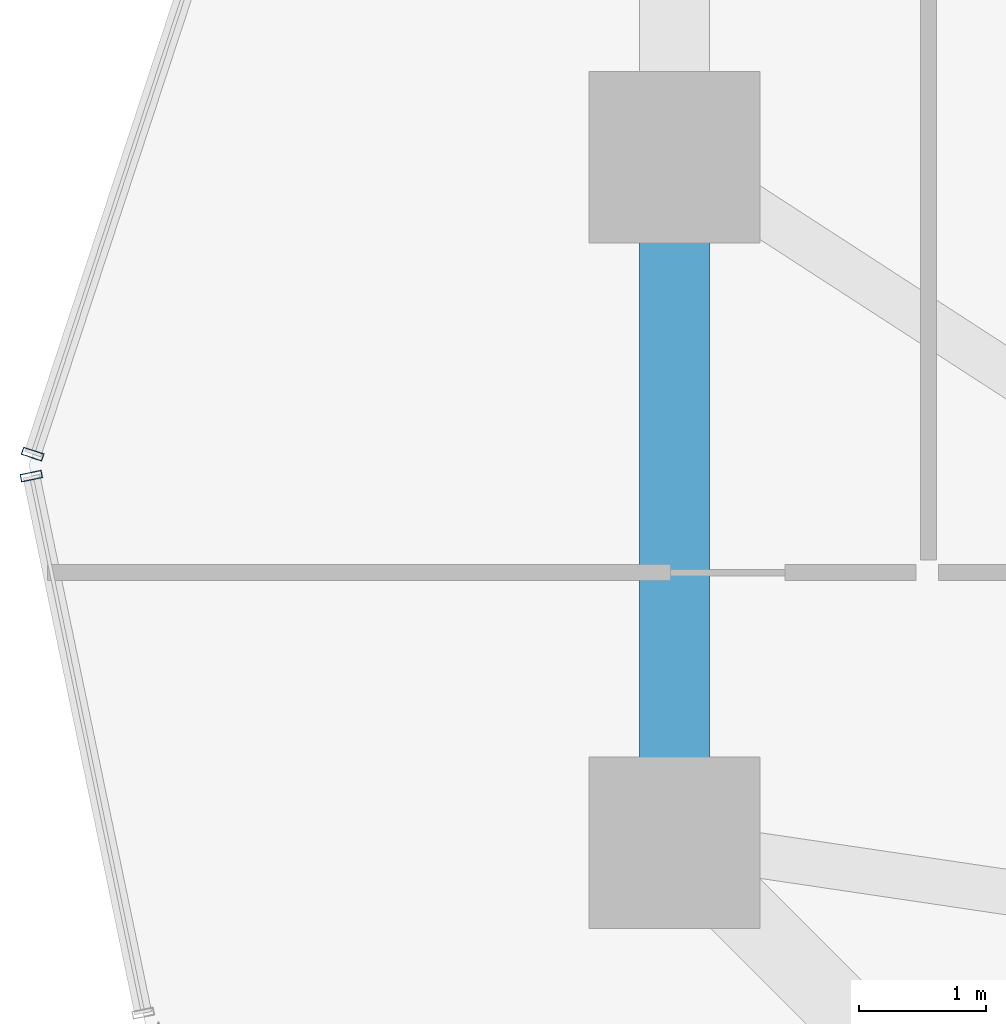
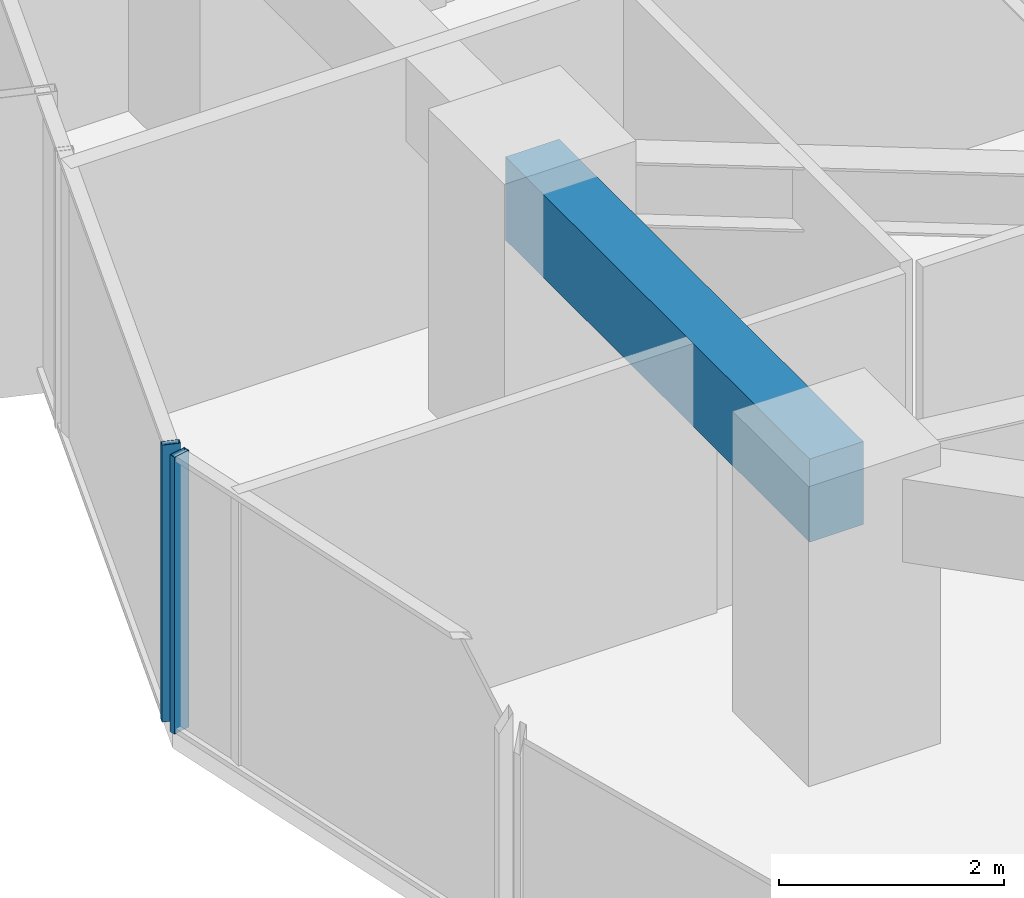
# One storey, part 10 of 38: 2 members, 1 beam, 2 elements without a shape of their own.
"""IFC4 building model written with IfcOpenShell, lengths in metres."""

import ifcopenshell
import ifcopenshell.guid

model = None  # the IFC model being written
_history = None  # IfcOwnerHistory: only IFC2X3 demands one
_inside = {}  # id of a spatial element -> (the spatial element, [elements in it])
_under = {}  # id of a project, library or spatial element -> (it, [spatial elements below it])
_declared = {}  # id of a project -> (the project, [libraries it declares])
_typed = {}  # id of a type object -> (the type object, [elements of that type])
_made_of = {}  # id of a material, layer set ... -> (it, [elements and type objects made of it])


def new_model(schema):
    """Start an empty IFC model of exactly this schema.

    Asked for "IFC4X3", IfcOpenShell would pick the latest addendum, in which some entities
    have other attributes; the version numbers below select the first issue.
    IFC2X3 requires an IfcOwnerHistory on every rooted entity: one is made here for all.
    """
    global model, _history
    if schema == "IFC4X3":
        model = ifcopenshell.file(schema_version=(4, 3, 0, 0))
    else:
        model = ifcopenshell.file(schema=schema)
    _inside.clear()
    _under.clear()
    _declared.clear()
    _typed.clear()
    _made_of.clear()
    _history = None
    if model.schema == "IFC2X3":
        org = make("IfcOrganization", Name="unknown")
        user = make(
            "IfcPersonAndOrganization",
            ThePerson=make("IfcPerson", FamilyName="unknown"),
            TheOrganization=org,
        )
        app = make(
            "IfcApplication",
            ApplicationDeveloper=org,
            Version="unknown",
            ApplicationFullName="unknown",
            ApplicationIdentifier="unknown",
        )
        _history = make(
            "IfcOwnerHistory",
            OwningUser=user,
            OwningApplication=app,
            ChangeAction="ADDED",
            CreationDate=0,
        )
    return model


def make(cls, **values):
    """One entity of the class cls with the attributes given. An attribute that is None is left unset."""
    return model.create_entity(
        cls, **{name: value for name, value in values.items() if value is not None}
    )


def rooted(cls, **values):
    """An entity with a GlobalId (a new one), such as an element, a storey or a relation."""
    return make(cls, GlobalId=ifcopenshell.guid.new(), OwnerHistory=_history, **values)


def si_unit(unit_type, name, prefix=None):
    """IfcSIUnit, for example si_unit("LENGTHUNIT", "METRE", prefix="MILLI")."""
    return make("IfcSIUnit", UnitType=unit_type, Prefix=prefix, Name=name)


def assignment(units):
    """IfcUnitAssignment: the units of a project."""
    return None if units is None else make("IfcUnitAssignment", Units=units)


def point(xyz):
    """IfcCartesianPoint."""
    return None if xyz is None else make("IfcCartesianPoint", Coordinates=xyz)


def direction(xyz):
    """IfcDirection."""
    return None if xyz is None else make("IfcDirection", DirectionRatios=xyz)


def frame(location, z_axis=None, x_axis=None):
    """IfcAxis2Placement3D, a coordinate frame: its origin and axes. An axis left out is left unset."""
    return make(
        "IfcAxis2Placement3D",
        Location=point(location),
        Axis=direction(z_axis),
        RefDirection=direction(x_axis),
    )


def frame_2d(location, x_axis=None):
    """IfcAxis2Placement2D, a coordinate frame in the plane: its origin and x axis."""
    return make(
        "IfcAxis2Placement2D", Location=point(location), RefDirection=direction(x_axis)
    )


def origin():
    """The frame at (0, 0, 0) with its axes left unset."""
    return frame((0.0, 0.0, 0.0))


def origin_2d():
    """The frame at (0, 0) in the plane with its x axis left unset."""
    return frame_2d((0.0, 0.0))


def place(relative_to, where):
    """IfcLocalPlacement: puts the frame where relative to a parent placement (None: the world)."""
    return make(
        "IfcLocalPlacement", PlacementRelTo=relative_to, RelativePlacement=where
    )


def context(
    kind, dimensions, precision=None, world=None, true_north=None, identifier=None
):
    """IfcGeometricRepresentationContext, for example the 3D "Model" context."""
    return make(
        "IfcGeometricRepresentationContext",
        ContextIdentifier=identifier,
        ContextType=kind,
        CoordinateSpaceDimension=dimensions,
        Precision=precision,
        WorldCoordinateSystem=world,
        TrueNorth=true_north,
    )


def subcontext(parent, identifier, kind, view, scale=None):
    """IfcGeometricRepresentationSubContext, for example "Body" below "Model"."""
    return make(
        "IfcGeometricRepresentationSubContext",
        ContextIdentifier=identifier,
        ContextType=kind,
        ParentContext=parent,
        TargetScale=scale,
        TargetView=view,
    )


def project(units=None, contexts=None):
    """IfcProject with its units and contexts."""
    return rooted(
        "IfcProject",
        Name="project",
        RepresentationContexts=contexts,
        UnitsInContext=assignment(units),
    )


def spatial(cls, under=None, at=None, **own):
    """A site, building, storey or space (cls), placed at a placement, below another one or the project."""
    s = rooted(cls, ObjectPlacement=at, **own)
    if under is not None:
        _under.setdefault(under.id(), (under, []))[1].append(s)
    return s


def profile(cls, at=None, kind="AREA", **sizes):
    """A parametric profile (cls). Its sizes go by their IFC names, for example OverallWidth=200.0."""
    return make(cls, ProfileType=kind, Position=at, **sizes)


def rectangle(**sizes):
    """IfcRectangleProfileDef."""
    return profile("IfcRectangleProfileDef", **sizes)


def hollow_rectangle(**sizes):
    """IfcRectangleHollowProfileDef."""
    return profile("IfcRectangleHollowProfileDef", **sizes)


def extrude(swept, where, along, depth):
    """IfcExtrudedAreaSolid: the profile swept, set in the frame where, extruded along a direction by depth."""
    return make(
        "IfcExtrudedAreaSolid",
        SweptArea=swept,
        Position=where,
        ExtrudedDirection=direction(along),
        Depth=depth,
    )


def shape(context_of_items, identifier, shape_type, items):
    """IfcShapeRepresentation: the items that make up one representation, for example the "Body"."""
    return make(
        "IfcShapeRepresentation",
        ContextOfItems=context_of_items,
        RepresentationIdentifier=identifier,
        RepresentationType=shape_type,
        Items=items,
    )


def source(mapping_origin, context_of_items, identifier, shape_type, items):
    """IfcRepresentationMap: a shape defined once, which mapped items show again and again."""
    return make(
        "IfcRepresentationMap",
        MappingOrigin=mapping_origin,
        MappedRepresentation=shape(context_of_items, identifier, shape_type, items),
    )


def transform(
    local_origin,
    x_axis=None,
    y_axis=None,
    z_axis=None,
    scale=None,
    scale2=None,
    scale3=None,
    uniform=True,
):
    """IfcCartesianTransformationOperator3D, or its non-uniform kind. x_axis, y_axis, z_axis: its Axis1, 2, 3."""
    if uniform:
        return make(
            "IfcCartesianTransformationOperator3D",
            Axis1=direction(x_axis),
            Axis2=direction(y_axis),
            LocalOrigin=point(local_origin),
            Scale=scale,
            Axis3=direction(z_axis),
        )
    return make(
        "IfcCartesianTransformationOperator3DnonUniform",
        Axis1=direction(x_axis),
        Axis2=direction(y_axis),
        LocalOrigin=point(local_origin),
        Scale=scale,
        Axis3=direction(z_axis),
        Scale2=scale2,
        Scale3=scale3,
    )


def mapped(mapping_source, mapping_target):
    """IfcMappedItem: shows the shape of a source again, moved by a transform."""
    return make(
        "IfcMappedItem", MappingSource=mapping_source, MappingTarget=mapping_target
    )


def material(Name=None, Category=None):
    """IfcMaterial."""
    return make("IfcMaterial", Name=Name, Category=Category)


def layer(
    of_material, thickness, ventilated=None, Name=None, Category=None, Priority=None
):
    """IfcMaterialLayer: one layer of a wall or slab, of a material (None: an air gap)."""
    return make(
        "IfcMaterialLayer",
        Material=of_material,
        LayerThickness=thickness,
        IsVentilated=ventilated,
        Name=Name,
        Category=Category,
        Priority=Priority,
    )


def layer_set(layers, Name=None):
    """IfcMaterialLayerSet."""
    return make("IfcMaterialLayerSet", MaterialLayers=layers, LayerSetName=Name)


def material_profile(
    of_material, cross_section, Name=None, Category=None, Priority=None
):
    """IfcMaterialProfile: a cross section and its material."""
    return make(
        "IfcMaterialProfile",
        Name=Name,
        Material=of_material,
        Profile=cross_section,
        Priority=Priority,
        Category=Category,
    )


def profile_set(profiles, Name=None, composite=None):
    """IfcMaterialProfileSet."""
    return make(
        "IfcMaterialProfileSet",
        Name=Name,
        MaterialProfiles=profiles,
        CompositeProfile=composite,
    )


def made_of(thing, what):
    """Note that an element or type object is made of a material, layer set ...; save() writes the relation."""
    if what is not None:
        _made_of.setdefault(what.id(), (what, []))[1].append(thing)
    return thing


def type_object(cls, material=None, **own):
    """A type object (cls), such as IfcWallType, which elements share."""
    return made_of(rooted(cls, **own), material)


def element(
    cls,
    number,
    at=None,
    inside=None,
    cuts=None,
    type_object=None,
    material=None,
    context=None,
    identifier="Body",
    shape_type=None,
    held_by="IfcProductDefinitionShape",
    body=None,
    shapes=None,
    **own,
):
    """One element of the class cls, such as IfcWall. Its Tag is "e" and its number.

    at: its placement. inside: the storey or other place that contains it. cuts: it is an
    opening in that element (IfcRelVoidsElement). A single representation is given by context,
    identifier, shape_type and body (its items); several are given by shapes. held_by: the class
    of the entity that holds the representations. save() writes the other relations.
    """
    e = rooted(cls, Tag="e%d" % number, ObjectPlacement=at, **own)
    if body is not None:
        shapes = [shape(context, identifier, shape_type, body)]
    if shapes is not None:
        e.Representation = make(held_by, Representations=shapes)
    if inside is not None:
        _inside.setdefault(inside.id(), (inside, []))[1].append(e)
    if cuts is not None:
        rooted(
            "IfcRelVoidsElement", RelatingBuildingElement=cuts, RelatedOpeningElement=e
        )
    if type_object is not None:
        _typed.setdefault(type_object.id(), (type_object, []))[1].append(e)
    return made_of(e, material)


def aggregate(whole, parts):
    """IfcRelAggregates: a whole, such as a stair, and the parts it consists of."""
    return rooted("IfcRelAggregates", RelatingObject=whole, RelatedObjects=parts)


def save(model, path):
    """Write the relations noted so far, then the file.

    IfcRelAggregates (storeys below a building ...), IfcRelContainedInSpatialStructure (elements
    in a storey), IfcRelDefinesByType, IfcRelAssociatesMaterial and IfcRelDeclares: one each for
    every whole, place, type object, material and project.
    """
    for whole, parts in _under.values():
        aggregate(whole, parts)
    for where, things in _inside.values():
        rooted(
            "IfcRelContainedInSpatialStructure",
            RelatedElements=things,
            RelatingStructure=where,
        )
    for kind, things in _typed.values():
        rooted("IfcRelDefinesByType", RelatedObjects=things, RelatingType=kind)
    for what, things in _made_of.values():
        rooted("IfcRelAssociatesMaterial", RelatedObjects=things, RelatingMaterial=what)
    for by, libraries in _declared.values():
        rooted("IfcRelDeclares", RelatingContext=by, RelatedDefinitions=libraries)
    model.write(path)


model = new_model("IFC4")

# Units and contexts
model_context = context("Model", 3, precision=1e-05, world=origin(), true_north=direction((0.0, 1.0)))
body_context = subcontext(model_context, "Body", "Model", "MODEL_VIEW")
ifc_project = project(units=[si_unit("LENGTHUNIT", "METRE"), si_unit("AREAUNIT", "SQUARE_METRE"), si_unit("VOLUMEUNIT", "CUBIC_METRE"), si_unit("PLANEANGLEUNIT", "RADIAN"), si_unit("MASSUNIT", "GRAM", prefix="KILO")], contexts=[model_context])

# Site, building, storey
site_placement = place(None, origin())
site = spatial("IfcSite", under=ifc_project, at=site_placement, CompositionType="ELEMENT")
building_placement = place(site_placement, origin())
building = spatial("IfcBuilding", under=site, at=building_placement, Name="Veraguas Prism Commons", CompositionType="ELEMENT")
storey_placement = place(building_placement, frame((0.0, 0.0, 64.10009765625)))
storey = spatial("IfcBuildingStorey", under=building, at=storey_placement, Name="L17", CompositionType="ELEMENT", Elevation=64.10009765625)

# Beam
ifc_material_1 = material(Name="Concrete C50/60", Category="concrete")
ifc_material_profile_1 = material_profile(ifc_material_1, rectangle(XDim=0.550048828125, YDim=0.89990234375, at=origin_2d()), Name="RC550X900")
ifc_profile_set_1 = profile_set([ifc_material_profile_1], Name="Concrete C50/60")
beam_type = type_object("IfcBeamType", Name="Perimeter Spandrel Lower RC 550x900", PredefinedType="SPANDREL", material=ifc_profile_set_1)
beam_placement = place(storey_placement, frame((6.39990234375, 24.0, 2.5498046875), z_axis=(0.0, -1.0, 0.0), x_axis=(1.0, 0.0, 0.0)))
element("IfcBeam", 1, at=beam_placement, inside=storey, type_object=beam_type, Name="Perimeter Spandrel Beam L17-SP08", PredefinedType="SPANDREL", context=body_context, shape_type="SweptSolid", body=[
    extrude(rectangle(XDim=0.550048828125, YDim=0.89990234375, at=origin_2d()), origin(), (0.0, 0.0, 1.0), 5.39990234375),
])

# Curtain wall, member
ifc_material_2 = material(Name="Anodised aluminium EN AW-6063 T6", Category="aluminium")
ifc_layer = layer(ifc_material_2, 0.169921875, Name="Unitised Flush Curtain Wall Zone 1", Category="aluminium")
ifc_layer_set = layer_set([ifc_layer], Name="Anodised aluminium EN AW-6063 T6")
curtain_wall_type = type_object("IfcCurtainWallType", Name="Unitised Flush Curtain Wall Zone 1", PredefinedType="NOTDEFINED", material=ifc_layer_set)
curtain_wall_1_placement = place(storey_placement, origin())
curtain_wall_1 = element("IfcCurtainWall", 2, at=curtain_wall_1_placement, inside=storey, type_object=curtain_wall_type, Name="Tower Facade Curtain Wall L17-F3", PredefinedType="NOTDEFINED")
ifc_material_profile_2 = material_profile(ifc_material_2, hollow_rectangle(XDim=0.06005859375, YDim=0.169921875, WallThickness=0.00390625, at=origin_2d()), Name="AL60X170X4")
ifc_profile_set_2 = profile_set([ifc_material_profile_2], Name="Anodised aluminium EN AW-6063 T6")
member_type = type_object("IfcMemberType", Name="Curtain Wall Mullion Lower AL 60x170x4", PredefinedType="MULLION", material=ifc_profile_set_2)
shared_shape = source(origin(), body_context, "Body", "SweptSolid", [
    extrude(hollow_rectangle(XDim=0.06005859375, YDim=0.169921875, WallThickness=0.00390625, at=origin_2d()), origin(), (0.0, 0.0, 1.0), 3.0),
])
member_1_placement = place(storey_placement, frame((1.34521484375, 21.661376953125, 0.0), z_axis=(0.0, 0.0, 1.0), x_axis=(-0.312991417409, -0.949755954248, 0.0)))
member_1 = element("IfcMember", 3, at=member_1_placement, type_object=member_type, Name="CW-Z1 Mullion 5", PredefinedType="MULLION", context=body_context, shape_type="MappedRepresentation", body=[
    mapped(shared_shape, transform((0.0, 0.0, 0.0), scale=1.0)),
])
aggregate(curtain_wall_1, [member_1])

curtain_wall_2_placement = place(storey_placement, origin())
curtain_wall_2 = element("IfcCurtainWall", 4, at=curtain_wall_2_placement, inside=storey, type_object=curtain_wall_type, Name="Chamfer Curtain Wall L17-C4", PredefinedType="NOTDEFINED")
member_2_placement = place(storey_placement, frame((1.335205078125, 21.488037109375, 0.0), z_axis=(0.0, 0.0, 1.0), x_axis=(0.203810915013, -0.979010271101, 0.0)))
member_2 = element("IfcMember", 5, at=member_2_placement, type_object=member_type, Name="CW-Z1 Mullion 1", PredefinedType="MULLION", context=body_context, shape_type="MappedRepresentation", body=[
    mapped(shared_shape, transform((0.0, 0.0, 0.0), scale=1.0)),
])
aggregate(curtain_wall_2, [member_2])

save(model, "model.ifc")
